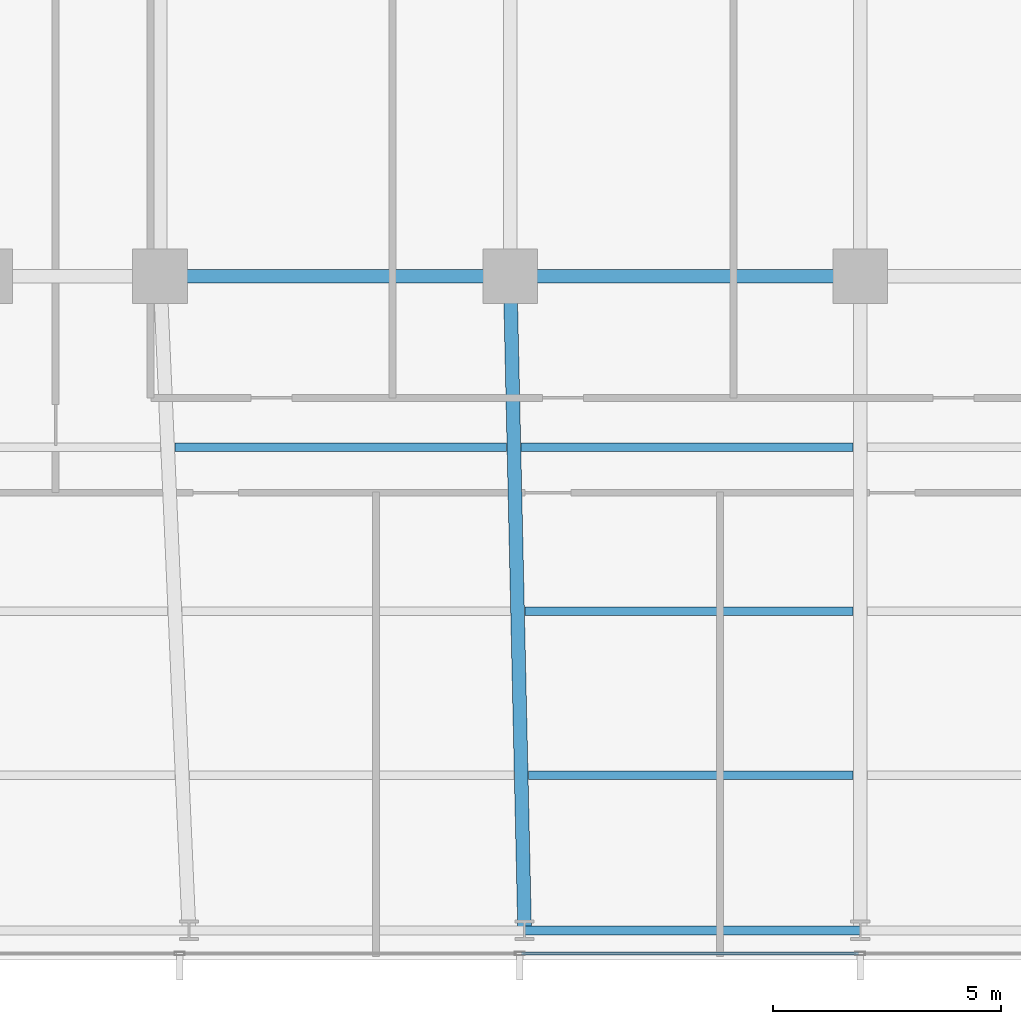
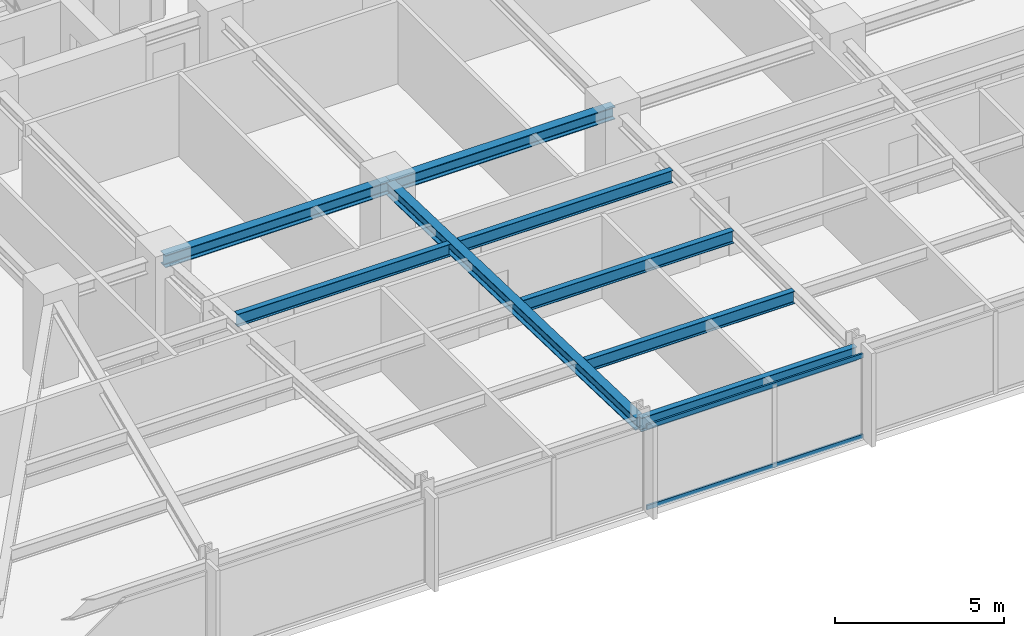
# One storey, part 6 of 32: 8 beams, 2 members, 1 element without a shape of its own.
"""IFC4 building model written with IfcOpenShell, lengths in metres."""

from ifc_helpers import new_model, si_unit, direction, frame, origin, origin_2d, place, context, subcontext, project, spatial, hollow_rectangle, i_section, extrude, material, material_profile, profile_set, type_object, element, aggregate, save


model = new_model("IFC4")

# Units and contexts
model_context = context("Model", 3, precision=1e-05, world=origin(), true_north=direction((0.0, 1.0)))
body_context = subcontext(model_context, "Body", "Model", "MODEL_VIEW")
ifc_project = project(units=[si_unit("LENGTHUNIT", "METRE"), si_unit("AREAUNIT", "SQUARE_METRE"), si_unit("VOLUMEUNIT", "CUBIC_METRE"), si_unit("PLANEANGLEUNIT", "RADIAN"), si_unit("MASSUNIT", "GRAM", prefix="KILO")], contexts=[model_context])

# Site, building, storey
site_placement = place(None, origin())
site = spatial("IfcSite", under=ifc_project, at=site_placement, CompositionType="ELEMENT")
building_placement = place(site_placement, origin())
building = spatial("IfcBuilding", under=site, at=building_placement, Name="Yelkora Congress Tower", CompositionType="ELEMENT")
storey_placement = place(building_placement, frame((0.0, 0.0, 74.60009765625)))
storey = spatial("IfcBuildingStorey", under=building, at=storey_placement, Name="L19", CompositionType="ELEMENT", Elevation=74.60009765625)

# Beams
ifc_material_1 = material(Name="Steel S355J2", Category="steel")
ifc_material_profile_1 = material_profile(ifc_material_1, i_section(OverallWidth=0.300048828125, OverallDepth=0.449951171875, WebThickness=0.013916015625, FlangeThickness=0.02587890625, FilletRadius=0.027099609375, at=origin_2d()), Name="HEB 450")
ifc_profile_set_1 = profile_set([ifc_material_profile_1], Name="Steel S355J2")
beam_type_1 = type_object("IfcBeamType", Name="BM-GIRD-HEB450", PredefinedType="BEAM", material=ifc_profile_set_1)
for number, where, z_axis, x_axis, name in (
    (1, (23.0400390625, 25.199951171875, 2.7548828125), (1.0, 0.0, 0.0), (0.0, 1.0, 0.0), "L19 Spine Grid D Girder 2"),
    (2, (30.719970703125, 25.199951171875, 2.7548828125), (1.0, 0.0, 0.0), (0.0, 1.0, 0.0), "L19 Spine Grid D Girder 3"),
):
    element("IfcBeam", number, at=place(storey_placement, frame(where, z_axis=z_axis, x_axis=x_axis)), inside=storey, type_object=beam_type_1, Name=name, PredefinedType="BEAM", context=body_context, shape_type="SweptSolid", body=[
        extrude(i_section(OverallWidth=0.300048828125, OverallDepth=0.449951171875, WebThickness=0.013916015625, FlangeThickness=0.02587890625, FilletRadius=0.027099609375, at=origin_2d()), origin(), (0.0, 0.0, 1.0), 7.679931640625),
    ])
beam_1_placement = place(storey_placement, frame((31.03759765625, 10.85009765625, 2.7548828125), z_axis=(-0.022129088136, 0.999755121746, 0.0), x_axis=(-0.999755121746, -0.022129088136, 0.0)))
element("IfcBeam", 3, at=beam_1_placement, inside=storey, type_object=beam_type_1, Name="L19 Primary Frame Girder S04", PredefinedType="BEAM", context=body_context, shape_type="SweptSolid", body=[
    extrude(i_section(OverallWidth=0.300048828125, OverallDepth=0.449951171875, WebThickness=0.013916015625, FlangeThickness=0.02587890625, FilletRadius=0.027099609375, at=origin_2d()), origin(), (0.0, 0.0, 1.0), 14.353271484375),
])
ifc_material_profile_2 = material_profile(ifc_material_1, i_section(OverallWidth=0.18994140625, OverallDepth=0.449951171875, WebThickness=0.009521484375, FlangeThickness=0.0146484375, FilletRadius=0.02099609375, at=origin_2d()), Name="IPE 450")
ifc_profile_set_2 = profile_set([ifc_material_profile_2], Name="Steel S355J2")
beam_type_2 = type_object("IfcBeamType", Name="BM-JOIST-IPE450", PredefinedType="JOIST", material=ifc_profile_set_2)
beam_2_placement = place(storey_placement, frame((31.122314453125, 14.25, 2.7548828125), z_axis=(1.0, 0.0, 0.0), x_axis=(0.0, 1.0, 0.0)))
element("IfcBeam", 4, at=beam_2_placement, inside=storey, type_object=beam_type_2, Name="L19 Composite Floor Joist 4", PredefinedType="JOIST", context=body_context, shape_type="SweptSolid", body=[
    extrude(i_section(OverallWidth=0.18994140625, OverallDepth=0.449951171875, WebThickness=0.009521484375, FlangeThickness=0.0146484375, FilletRadius=0.02099609375, at=origin_2d()), origin(), (0.0, 0.0, 1.0), 7.11767578125),
])
beam_3_placement = place(storey_placement, frame((31.04248046875, 17.85009765625, 2.7548828125), z_axis=(1.0, 0.0, 0.0), x_axis=(0.0, 1.0, 0.0)))
element("IfcBeam", 5, at=beam_3_placement, inside=storey, type_object=beam_type_2, Name="L19 Composite Floor Joist 12", PredefinedType="JOIST", context=body_context, shape_type="SweptSolid", body=[
    extrude(i_section(OverallWidth=0.18994140625, OverallDepth=0.449951171875, WebThickness=0.009521484375, FlangeThickness=0.0146484375, FilletRadius=0.02099609375, at=origin_2d()), origin(), (0.0, 0.0, 1.0), 7.197509765625),
])
for number, where, z_axis, x_axis, name in (
    (6, (23.365966796875, 21.449951171875, 2.7548828125), (1.0, 0.0, 0.0), (0.0, 1.0, 0.0), "L19 Composite Floor Joist 18"),
    (7, (30.962890625, 21.449951171875, 2.7548828125), (1.0, 0.0, 0.0), (0.0, 1.0, 0.0), "L19 Composite Floor Joist 19"),
):
    element("IfcBeam", number, at=place(storey_placement, frame(where, z_axis=z_axis, x_axis=x_axis)), inside=storey, type_object=beam_type_2, Name=name, PredefinedType="JOIST", context=body_context, shape_type="SweptSolid", body=[
        extrude(i_section(OverallWidth=0.18994140625, OverallDepth=0.449951171875, WebThickness=0.009521484375, FlangeThickness=0.0146484375, FilletRadius=0.02099609375, at=origin_2d()), origin(), (0.0, 0.0, 1.0), 7.277099609375),
    ])
ifc_material_profile_3 = material_profile(ifc_material_1, i_section(OverallWidth=0.199951171875, OverallDepth=0.5, WebThickness=0.01025390625, FlangeThickness=0.01611328125, FilletRadius=0.02099609375, at=origin_2d()), Name="IPE 500")
ifc_profile_set_3 = profile_set([ifc_material_profile_3], Name="Steel S355J2")
beam_type_3 = type_object("IfcBeamType", Name="BM-SPAN-IPE500", PredefinedType="SPANDREL", material=ifc_profile_set_3)
beam_4_placement = place(storey_placement, frame((31.03759765625, 10.85009765625, 2.72998046875), z_axis=(1.0, 0.0, 0.0), x_axis=(0.0, 1.0, 0.0)))
element("IfcBeam", 8, at=beam_4_placement, inside=storey, type_object=beam_type_3, Name="L19 Perimeter Beam 5", PredefinedType="SPANDREL", context=body_context, shape_type="SweptSolid", body=[
    extrude(i_section(OverallWidth=0.199951171875, OverallDepth=0.5, WebThickness=0.01025390625, FlangeThickness=0.01611328125, FilletRadius=0.02099609375, at=origin_2d()), origin(), (0.0, 0.0, 1.0), 7.3623046875),
])

# Curtain wall, members
ifc_material_2 = material(Name="Anodised aluminium and insulated glass", Category="aluminium")
curtain_wall_type = type_object("IfcCurtainWallType", Name="CW-SYS-B1", PredefinedType="NOTDEFINED", material=ifc_material_2)
curtain_wall_placement = place(storey_placement, origin())
curtain_wall = element("IfcCurtainWall", 9, at=curtain_wall_placement, inside=storey, type_object=curtain_wall_type, Name="L19 Unitised Curtain Wall 20", PredefinedType="NOTDEFINED")
ifc_material_3 = material(Name="Anodised aluminium 6063-T6", Category="aluminium")
ifc_material_profile_4 = material_profile(ifc_material_3, hollow_rectangle(XDim=0.06494140625, YDim=0.159912109375, WallThickness=0.00390625, at=origin_2d()), Name="ALU 65x160x4")
ifc_profile_set_4 = profile_set([ifc_material_profile_4], Name="Anodised aluminium 6063-T6")
member_type = type_object("IfcMemberType", Name="MEM-TR-B1", PredefinedType="USERDEFINED", material=ifc_profile_set_4)
member_1_placement = place(storey_placement, frame((38.362548828125, 10.340087890625, 0.032470703125), z_axis=(-1.0, 0.0, 0.0), x_axis=(0.0, -1.0, 0.0)))
member_1 = element("IfcMember", 10, at=member_1_placement, type_object=member_type, Name="CW-B1 transom 5.1", ObjectType="TRANSOM", PredefinedType="USERDEFINED", context=body_context, shape_type="SweptSolid", body=[
    extrude(hollow_rectangle(XDim=0.06494140625, YDim=0.159912109375, WallThickness=0.00390625, at=origin_2d()), origin(), (0.0, 0.0, 1.0), 7.39013671875),
])
member_2_placement = place(storey_placement, frame((38.362548828125, 10.340087890625, 2.947509765625), z_axis=(-1.0, 0.0, 0.0), x_axis=(0.0, -1.0, 0.0)))
member_2 = element("IfcMember", 11, at=member_2_placement, type_object=member_type, Name="CW-B1 transom 5.2", ObjectType="TRANSOM", PredefinedType="USERDEFINED", context=body_context, shape_type="SweptSolid", body=[
    extrude(hollow_rectangle(XDim=0.06494140625, YDim=0.159912109375, WallThickness=0.00390625, at=origin_2d()), origin(), (0.0, 0.0, 1.0), 7.39013671875),
])
aggregate(curtain_wall, [member_1, member_2])

save(model, "model.ifc")
